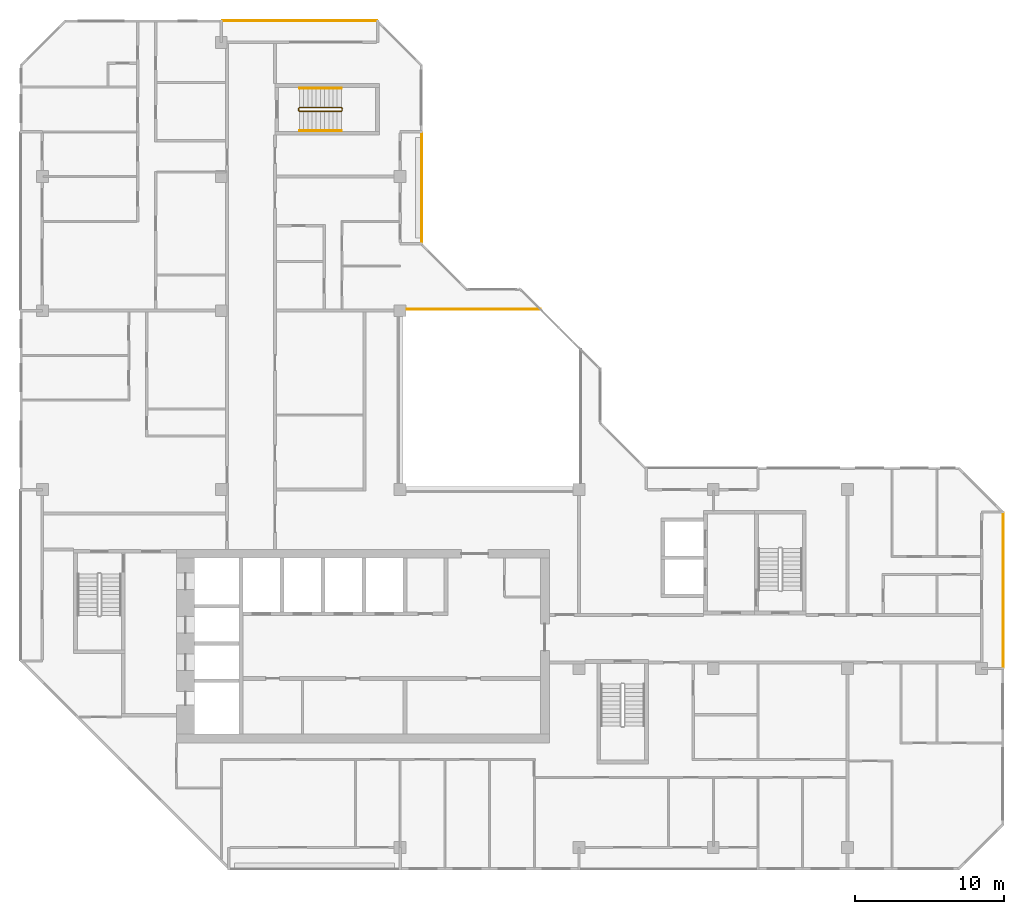
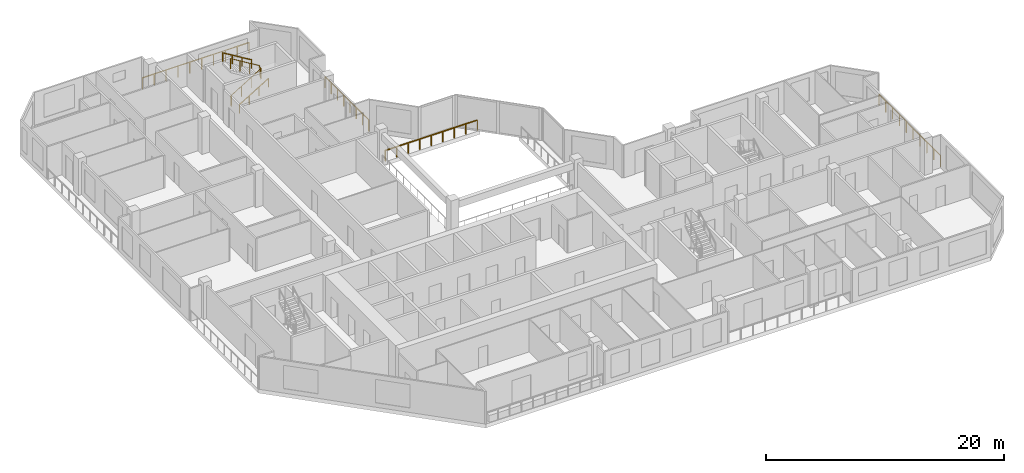
# One storey, part 13 of 13: 7 railings.
"""IFC4 building model written with IfcOpenShell, lengths in metres."""

from ifc_helpers import new_model, si_unit, direction, frame, origin, origin_2d, place, context, subcontext, project, spatial, rectangle, extrude, material, type_object, element, save


model = new_model("IFC4")

# Units and contexts
model_context = context("Model", 3, precision=1e-05, world=origin(), true_north=direction((0.0, 1.0)))
body_context = subcontext(model_context, "Body", "Model", "MODEL_VIEW")
ifc_project = project(units=[si_unit("LENGTHUNIT", "METRE"), si_unit("AREAUNIT", "SQUARE_METRE"), si_unit("VOLUMEUNIT", "CUBIC_METRE"), si_unit("PLANEANGLEUNIT", "RADIAN"), si_unit("MASSUNIT", "GRAM", prefix="KILO")], contexts=[model_context])

# Site, building, storey
site_placement = place(None, origin())
site = spatial("IfcSite", under=ifc_project, at=site_placement, CompositionType="ELEMENT")
building_placement = place(site_placement, origin())
building = spatial("IfcBuilding", under=site, at=building_placement, Name="Chenar Terraces", CompositionType="ELEMENT")
storey_placement = place(building_placement, frame((0.0, 0.0, 284.64990234375)))
storey = spatial("IfcBuildingStorey", under=building, at=storey_placement, Name="L66", CompositionType="ELEMENT", Elevation=284.64990234375)

# Railings
ifc_material_1 = material(Name="Powder-coated steel", Category="steel")
railing_type_1 = type_object("IfcRailingType", Name="Guard 1100 steel rail with glass infill", PredefinedType="GUARDRAIL", material=ifc_material_1)
railing_1_placement = place(storey_placement, frame((24.449951171875, 36.10009765625, 0.0)))
element("IfcRailing", 1, at=railing_1_placement, inside=storey, type_object=railing_type_1, Name="Guard L66-2", PredefinedType="GUARDRAIL", context=body_context, shape_type="SweptSolid", body=[
    extrude(rectangle(XDim=0.06005859375, YDim=0.06005859375, at=origin_2d()), frame((0.0, 0.0, 1.070068359375), z_axis=(1.0, 0.0, 0.0), x_axis=(0.0, 1.0, 0.0)), (0.0, 0.0, 1.0), 8.949951171875),
    extrude(rectangle(XDim=0.050048828125, YDim=0.050048828125, at=origin_2d()), origin(), (0.0, 0.0, 1.0), 1.0400390625),
    extrude(rectangle(XDim=0.050048828125, YDim=0.050048828125, at=origin_2d()), frame((1.11865234375, 0.0, 0.0)), (0.0, 0.0, 1.0), 1.0400390625),
    extrude(rectangle(XDim=0.050048828125, YDim=0.050048828125, at=origin_2d()), frame((2.237548828125, 0.0, 0.0)), (0.0, 0.0, 1.0), 1.0400390625),
    extrude(rectangle(XDim=0.050048828125, YDim=0.050048828125, at=origin_2d()), frame((3.356201171875, 0.0, 0.0)), (0.0, 0.0, 1.0), 1.0400390625),
    extrude(rectangle(XDim=0.050048828125, YDim=0.050048828125, at=origin_2d()), frame((4.47509765625, 0.0, 0.0)), (0.0, 0.0, 1.0), 1.0400390625),
    extrude(rectangle(XDim=0.050048828125, YDim=0.050048828125, at=origin_2d()), frame((5.59375, 0.0, 0.0)), (0.0, 0.0, 1.0), 1.0400390625),
    extrude(rectangle(XDim=0.050048828125, YDim=0.050048828125, at=origin_2d()), frame((6.71240234375, 0.0, 0.0)), (0.0, 0.0, 1.0), 1.0400390625),
    extrude(rectangle(XDim=0.050048828125, YDim=0.050048828125, at=origin_2d()), frame((7.831298828125, 0.0, 0.0)), (0.0, 0.0, 1.0), 1.0400390625),
    extrude(rectangle(XDim=0.050048828125, YDim=0.050048828125, at=origin_2d()), frame((8.949951171875, 0.0, 0.0)), (0.0, 0.0, 1.0), 1.0400390625),
])
ifc_material_2 = material(Name="Stainless steel and glass", Category="steel")
railing_type_2 = type_object("IfcRailingType", Name="Loggia guard 1150", PredefinedType="GUARDRAIL", material=ifc_material_2)
railing_2_placement = place(storey_placement, frame((25.449951171875, 40.574951171875, 0.0)))
element("IfcRailing", 2, at=railing_2_placement, inside=storey, type_object=railing_type_2, Name="Loggia guard", PredefinedType="GUARDRAIL", context=body_context, shape_type="SweptSolid", body=[
    extrude(rectangle(XDim=0.048095703125, YDim=0.048095703125, at=origin_2d()), frame((0.0, 0.0, 1.1259765625), z_axis=(0.0, 1.0, 0.0), x_axis=(-1.0, 0.0, 0.0)), (0.0, 0.0, 1.0), 7.35009765625),
    extrude(rectangle(XDim=0.0419921875, YDim=0.0419921875, at=origin_2d()), origin(), (0.0, 0.0, 1.0), 1.101806640625),
    extrude(rectangle(XDim=0.0419921875, YDim=0.0419921875, at=origin_2d()), frame((0.0, 1.050048828125, 0.0)), (0.0, 0.0, 1.0), 1.101806640625),
    extrude(rectangle(XDim=0.0419921875, YDim=0.0419921875, at=origin_2d()), frame((0.0, 2.10009765625, 0.0)), (0.0, 0.0, 1.0), 1.101806640625),
    extrude(rectangle(XDim=0.0419921875, YDim=0.0419921875, at=origin_2d()), frame((0.0, 3.150146484375, 0.0)), (0.0, 0.0, 1.0), 1.101806640625),
    extrude(rectangle(XDim=0.0419921875, YDim=0.0419921875, at=origin_2d()), frame((0.0, 4.199951171875, 0.0)), (0.0, 0.0, 1.0), 1.101806640625),
    extrude(rectangle(XDim=0.0419921875, YDim=0.0419921875, at=origin_2d()), frame((0.0, 5.25, 0.0)), (0.0, 0.0, 1.0), 1.101806640625),
    extrude(rectangle(XDim=0.0419921875, YDim=0.0419921875, at=origin_2d()), frame((0.0, 6.300048828125, 0.0)), (0.0, 0.0, 1.0), 1.101806640625),
    extrude(rectangle(XDim=0.0419921875, YDim=0.0419921875, at=origin_2d()), frame((0.0, 7.35009765625, 0.0)), (0.0, 0.0, 1.0), 1.101806640625),
])
railing_3_placement = place(storey_placement, frame((64.449951171875, 12.074951171875, 0.0)))
element("IfcRailing", 3, at=railing_3_placement, inside=storey, type_object=railing_type_2, Name="Loggia guard", PredefinedType="GUARDRAIL", context=body_context, shape_type="SweptSolid", body=[
    extrude(rectangle(XDim=0.048095703125, YDim=0.048095703125, at=origin_2d()), frame((0.0, 0.0, 1.1259765625), z_axis=(0.0, 1.0, 0.0), x_axis=(-1.0, 0.0, 0.0)), (0.0, 0.0, 1.0), 10.35009765625),
    extrude(rectangle(XDim=0.0419921875, YDim=0.0419921875, at=origin_2d()), origin(), (0.0, 0.0, 1.0), 1.101806640625),
    extrude(rectangle(XDim=0.0419921875, YDim=0.0419921875, at=origin_2d()), frame((0.0, 1.14990234375, 0.0)), (0.0, 0.0, 1.0), 1.101806640625),
    extrude(rectangle(XDim=0.0419921875, YDim=0.0419921875, at=origin_2d()), frame((0.0, 2.300048828125, 0.0)), (0.0, 0.0, 1.0), 1.101806640625),
    extrude(rectangle(XDim=0.0419921875, YDim=0.0419921875, at=origin_2d()), frame((0.0, 3.449951171875, 0.0)), (0.0, 0.0, 1.0), 1.101806640625),
    extrude(rectangle(XDim=0.0419921875, YDim=0.0419921875, at=origin_2d()), frame((0.0, 4.60009765625, 0.0)), (0.0, 0.0, 1.0), 1.101806640625),
    extrude(rectangle(XDim=0.0419921875, YDim=0.0419921875, at=origin_2d()), frame((0.0, 5.75, 0.0)), (0.0, 0.0, 1.0), 1.101806640625),
    extrude(rectangle(XDim=0.0419921875, YDim=0.0419921875, at=origin_2d()), frame((0.0, 6.900146484375, 0.0)), (0.0, 0.0, 1.0), 1.101806640625),
    extrude(rectangle(XDim=0.0419921875, YDim=0.0419921875, at=origin_2d()), frame((0.0, 8.050048828125, 0.0)), (0.0, 0.0, 1.0), 1.101806640625),
    extrude(rectangle(XDim=0.0419921875, YDim=0.0419921875, at=origin_2d()), frame((0.0, 9.2001953125, 0.0)), (0.0, 0.0, 1.0), 1.101806640625),
    extrude(rectangle(XDim=0.0419921875, YDim=0.0419921875, at=origin_2d()), frame((0.0, 10.35009765625, 0.0)), (0.0, 0.0, 1.0), 1.101806640625),
])
railing_4_placement = place(storey_placement, frame((22.425048828125, 55.449951171875, 0.0)))
element("IfcRailing", 4, at=railing_4_placement, inside=storey, type_object=railing_type_2, Name="Loggia guard", PredefinedType="GUARDRAIL", context=body_context, shape_type="SweptSolid", body=[
    extrude(rectangle(XDim=0.048095703125, YDim=0.048095703125, at=origin_2d()), frame((0.0, 0.0, 1.1259765625), z_axis=(-1.0, 0.0, 0.0), x_axis=(0.0, -1.0, 0.0)), (0.0, 0.0, 1.0), 10.35009765625),
    extrude(rectangle(XDim=0.0419921875, YDim=0.0419921875, at=origin_2d()), origin(), (0.0, 0.0, 1.0), 1.101806640625),
    extrude(rectangle(XDim=0.0419921875, YDim=0.0419921875, at=origin_2d()), frame((-1.14990234375, 0.0, 0.0)), (0.0, 0.0, 1.0), 1.101806640625),
    extrude(rectangle(XDim=0.0419921875, YDim=0.0419921875, at=origin_2d()), frame((-2.300048828125, 0.0, 0.0)), (0.0, 0.0, 1.0), 1.101806640625),
    extrude(rectangle(XDim=0.0419921875, YDim=0.0419921875, at=origin_2d()), frame((-3.449951171875, 0.0, 0.0)), (0.0, 0.0, 1.0), 1.101806640625),
    extrude(rectangle(XDim=0.0419921875, YDim=0.0419921875, at=origin_2d()), frame((-4.60009765625, 0.0, 0.0)), (0.0, 0.0, 1.0), 1.101806640625),
    extrude(rectangle(XDim=0.0419921875, YDim=0.0419921875, at=origin_2d()), frame((-5.75, 0.0, 0.0)), (0.0, 0.0, 1.0), 1.101806640625),
    extrude(rectangle(XDim=0.0419921875, YDim=0.0419921875, at=origin_2d()), frame((-6.900146484375, 0.0, 0.0)), (0.0, 0.0, 1.0), 1.101806640625),
    extrude(rectangle(XDim=0.0419921875, YDim=0.0419921875, at=origin_2d()), frame((-8.050048828125, 0.0, 0.0)), (0.0, 0.0, 1.0), 1.101806640625),
    extrude(rectangle(XDim=0.0419921875, YDim=0.0419921875, at=origin_2d()), frame((-9.2001953125, 0.0, 0.0)), (0.0, 0.0, 1.0), 1.101806640625),
    extrude(rectangle(XDim=0.0419921875, YDim=0.0419921875, at=origin_2d()), frame((-10.35009765625, 0.0, 0.0)), (0.0, 0.0, 1.0), 1.101806640625),
])
ifc_material_3 = material(Name="Powder-coated steel", Category="steel")
railing_type_3 = type_object("IfcRailingType", Name="Stair guard 1100", PredefinedType="GUARDRAIL", material=ifc_material_3)
railing_5_placement = place(storey_placement, frame((17.25, 49.625, 3.75)))
element("IfcRailing", 5, at=railing_5_placement, inside=storey, type_object=railing_type_3, Name="L66 ST4 stair guard 1", PredefinedType="GUARDRAIL", context=body_context, shape_type="SweptSolid", body=[
    extrude(rectangle(XDim=0.048095703125, YDim=0.048095703125, at=origin_2d()), frame((0.0, 0.0, 1.076171875), z_axis=(0.854202870247, 0.0, -0.519939858505), x_axis=(0.0, 1.0, 0.0)), (0.0, 0.0, 1.0), 3.278076171875),
    extrude(rectangle(XDim=0.048095703125, YDim=0.048095703125, at=origin_2d()), frame((2.800048828125, 0.0, -0.62841796875), z_axis=(0.270899902878, -0.270899902878, -0.923702595667), x_axis=(0.707106781187, 0.707106781187, 0.0)), (0.0, 0.0, 1.0), 0.184814453125),
    extrude(rectangle(XDim=0.048095703125, YDim=0.048095703125, at=origin_2d()), frame((2.85009765625, -0.050048828125, -0.798828125), z_axis=(0.0, -1.0, 0.0), x_axis=(1.0, 0.0, 0.0)), (0.0, 0.0, 1.0), 0.14990234375),
    extrude(rectangle(XDim=0.048095703125, YDim=0.048095703125, at=origin_2d()), frame((2.85009765625, -0.199951171875, -0.798828125), z_axis=(-0.707106781187, -0.707106781187, 0.0), x_axis=(0.707106781187, -0.707106781187, 0.0)), (0.0, 0.0, 1.0), 0.07080078125),
    extrude(rectangle(XDim=0.048095703125, YDim=0.048095703125, at=origin_2d()), frame((2.800048828125, -0.25, -0.798828125), z_axis=(-0.854202870247, 0.0, -0.519939858505), x_axis=(0.0, -1.0, 0.0)), (0.0, 0.0, 1.0), 3.278076171875),
    extrude(rectangle(XDim=0.048095703125, YDim=0.048095703125, at=origin_2d()), frame((0.0, -0.25, -2.50341796875), z_axis=(-0.270899902878, 0.270899902878, -0.923702595667), x_axis=(-0.707106781187, -0.707106781187, 0.0)), (0.0, 0.0, 1.0), 0.184814453125),
    extrude(rectangle(XDim=0.048095703125, YDim=0.048095703125, at=origin_2d()), frame((-0.050048828125, -0.199951171875, -2.673828125), z_axis=(0.0, 1.0, 0.0), x_axis=(-1.0, 0.0, 0.0)), (0.0, 0.0, 1.0), 0.14990234375),
    extrude(rectangle(XDim=0.0419921875, YDim=0.0419921875, at=origin_2d()), origin(), (0.0, 0.0, 1.0), 1.052001953125),
    extrude(rectangle(XDim=0.0419921875, YDim=0.0419921875, at=origin_2d()), frame((0.933349609375, 0.0, -0.568115234375)), (0.0, 0.0, 1.0), 1.052001953125),
    extrude(rectangle(XDim=0.0419921875, YDim=0.0419921875, at=origin_2d()), frame((1.86669921875, 0.0, -1.13623046875)), (0.0, 0.0, 1.0), 1.052001953125),
    extrude(rectangle(XDim=0.0419921875, YDim=0.0419921875, at=origin_2d()), frame((2.800048828125, 0.0, -1.704345703125)), (0.0, 0.0, 1.0), 1.052001953125),
    extrude(rectangle(XDim=0.0419921875, YDim=0.0419921875, at=origin_2d()), frame((2.85009765625, -0.050048828125, -1.875)), (0.0, 0.0, 1.0), 1.052001953125),
    extrude(rectangle(XDim=0.0419921875, YDim=0.0419921875, at=origin_2d()), frame((2.85009765625, -0.199951171875, -1.875)), (0.0, 0.0, 1.0), 1.052001953125),
    extrude(rectangle(XDim=0.0419921875, YDim=0.0419921875, at=origin_2d()), frame((2.800048828125, -0.25, -1.875)), (0.0, 0.0, 1.0), 1.052001953125),
    extrude(rectangle(XDim=0.0419921875, YDim=0.0419921875, at=origin_2d()), frame((1.86669921875, -0.25, -2.443115234375)), (0.0, 0.0, 1.0), 1.052001953125),
    extrude(rectangle(XDim=0.0419921875, YDim=0.0419921875, at=origin_2d()), frame((0.933349609375, -0.25, -3.01123046875)), (0.0, 0.0, 1.0), 1.052001953125),
    extrude(rectangle(XDim=0.0419921875, YDim=0.0419921875, at=origin_2d()), frame((0.0, -0.25, -3.579345703125)), (0.0, 0.0, 1.0), 1.052001953125),
    extrude(rectangle(XDim=0.0419921875, YDim=0.0419921875, at=origin_2d()), frame((-0.050048828125, -0.199951171875, -3.75)), (0.0, 0.0, 1.0), 1.052001953125),
    extrude(rectangle(XDim=0.0419921875, YDim=0.0419921875, at=origin_2d()), frame((-0.050048828125, -0.050048828125, -3.75)), (0.0, 0.0, 1.0), 1.052001953125),
])
ifc_material_4 = material(Name="Powder-coated steel", Category="steel")
railing_type_4 = type_object("IfcRailingType", Name="Stair handrail 900", PredefinedType="HANDRAIL", material=ifc_material_4)
railing_6_placement = place(storey_placement, frame((17.25, 48.074951171875, 0.170654296875)))
element("IfcRailing", 6, at=railing_6_placement, inside=storey, type_object=railing_type_4, Name="L66 ST4 stair handrail 1", PredefinedType="HANDRAIL", context=body_context, shape_type="SweptSolid", body=[
    extrude(rectangle(XDim=0.048095703125, YDim=0.048095703125, at=origin_2d()), frame((0.0, 0.0, 0.8759765625), z_axis=(0.854202870247, 0.0, 0.519939858505), x_axis=(0.0, 1.0, 0.0)), (0.0, 0.0, 1.0), 3.278076171875),
    extrude(rectangle(XDim=0.0419921875, YDim=0.0419921875, at=origin_2d()), origin(), (0.0, 0.0, 1.0), 0.851806640625),
    extrude(rectangle(XDim=0.0419921875, YDim=0.0419921875, at=origin_2d()), frame((0.933349609375, 0.0, 0.568115234375)), (0.0, 0.0, 1.0), 0.851806640625),
    extrude(rectangle(XDim=0.0419921875, YDim=0.0419921875, at=origin_2d()), frame((1.86669921875, 0.0, 1.13623046875)), (0.0, 0.0, 1.0), 0.851806640625),
    extrude(rectangle(XDim=0.0419921875, YDim=0.0419921875, at=origin_2d()), frame((2.800048828125, 0.0, 1.704345703125)), (0.0, 0.0, 1.0), 0.851806640625),
])
railing_7_placement = place(storey_placement, frame((20.050048828125, 50.925048828125, 2.045654296875)))
element("IfcRailing", 7, at=railing_7_placement, inside=storey, type_object=railing_type_4, Name="L66 ST4 stair handrail 2", PredefinedType="HANDRAIL", context=body_context, shape_type="SweptSolid", body=[
    extrude(rectangle(XDim=0.048095703125, YDim=0.048095703125, at=origin_2d()), frame((0.0, 0.0, 0.8759765625), z_axis=(-0.854202870247, 0.0, 0.519939858505), x_axis=(0.0, -1.0, 0.0)), (0.0, 0.0, 1.0), 3.278076171875),
    extrude(rectangle(XDim=0.0419921875, YDim=0.0419921875, at=origin_2d()), origin(), (0.0, 0.0, 1.0), 0.851806640625),
    extrude(rectangle(XDim=0.0419921875, YDim=0.0419921875, at=origin_2d()), frame((-0.933349609375, 0.0, 0.568115234375)), (0.0, 0.0, 1.0), 0.851806640625),
    extrude(rectangle(XDim=0.0419921875, YDim=0.0419921875, at=origin_2d()), frame((-1.86669921875, 0.0, 1.13623046875)), (0.0, 0.0, 1.0), 0.851806640625),
    extrude(rectangle(XDim=0.0419921875, YDim=0.0419921875, at=origin_2d()), frame((-2.800048828125, 0.0, 1.704345703125)), (0.0, 0.0, 1.0), 0.851806640625),
])

save(model, "model.ifc")
